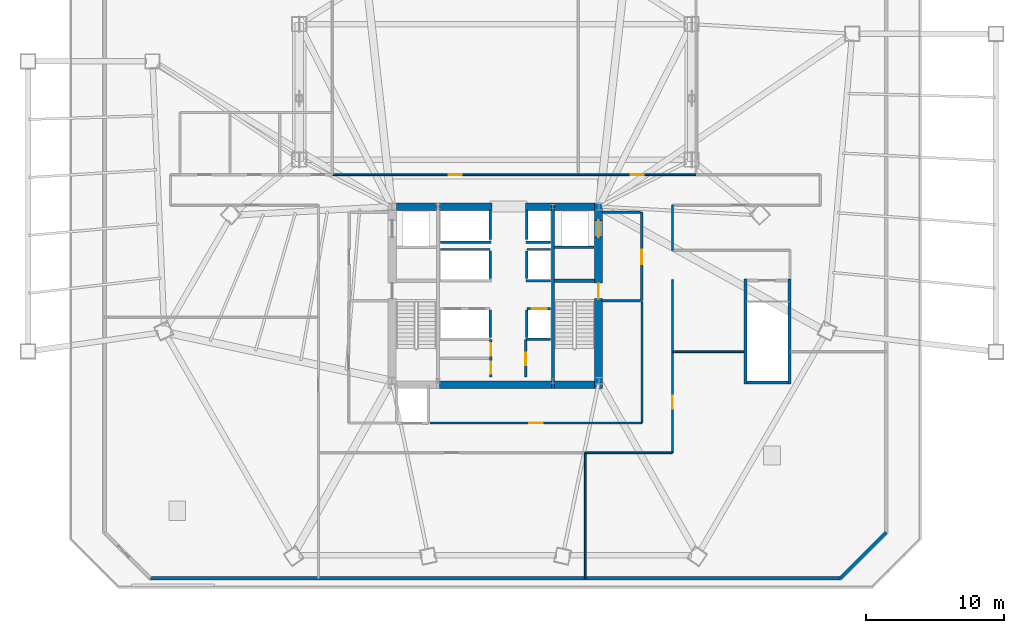
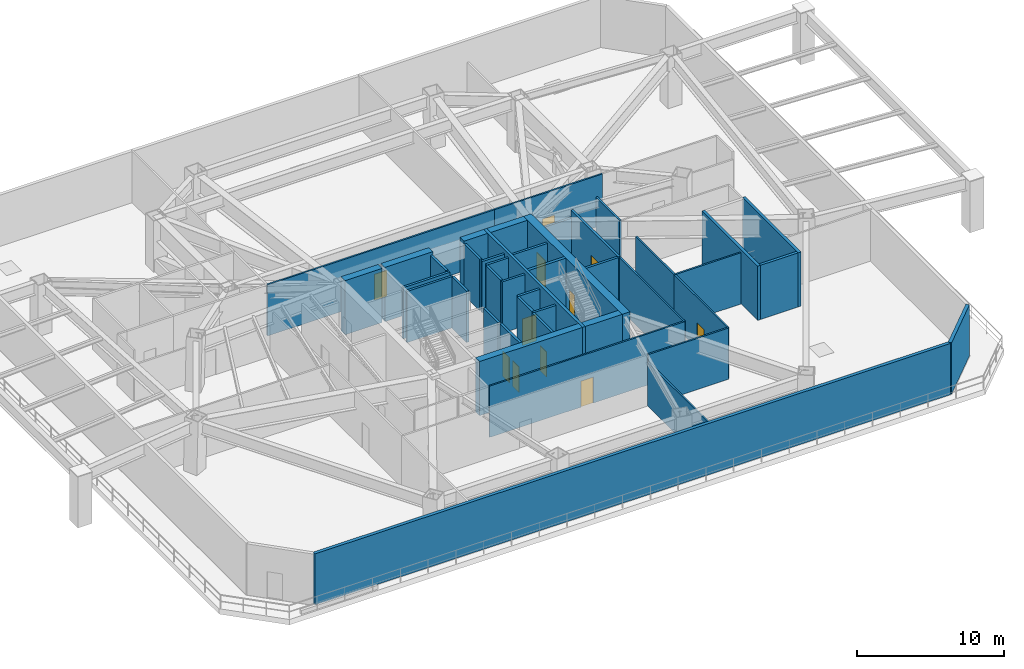
# One storey, part 7 of 13: 43 walls, 11 doors, 11 openings.
"""IFC4 building model written with IfcOpenShell, lengths in metres."""

import ifcopenshell
import ifcopenshell.guid

model = None  # the IFC model being written
_history = None  # IfcOwnerHistory: only IFC2X3 demands one
_inside = {}  # id of a spatial element -> (the spatial element, [elements in it])
_under = {}  # id of a project, library or spatial element -> (it, [spatial elements below it])
_declared = {}  # id of a project -> (the project, [libraries it declares])
_typed = {}  # id of a type object -> (the type object, [elements of that type])
_made_of = {}  # id of a material, layer set ... -> (it, [elements and type objects made of it])


def new_model(schema):
    """Start an empty IFC model of exactly this schema.

    Asked for "IFC4X3", IfcOpenShell would pick the latest addendum, in which some entities
    have other attributes; the version numbers below select the first issue.
    IFC2X3 requires an IfcOwnerHistory on every rooted entity: one is made here for all.
    """
    global model, _history
    if schema == "IFC4X3":
        model = ifcopenshell.file(schema_version=(4, 3, 0, 0))
    else:
        model = ifcopenshell.file(schema=schema)
    _inside.clear()
    _under.clear()
    _declared.clear()
    _typed.clear()
    _made_of.clear()
    _history = None
    if model.schema == "IFC2X3":
        org = make("IfcOrganization", Name="unknown")
        user = make(
            "IfcPersonAndOrganization",
            ThePerson=make("IfcPerson", FamilyName="unknown"),
            TheOrganization=org,
        )
        app = make(
            "IfcApplication",
            ApplicationDeveloper=org,
            Version="unknown",
            ApplicationFullName="unknown",
            ApplicationIdentifier="unknown",
        )
        _history = make(
            "IfcOwnerHistory",
            OwningUser=user,
            OwningApplication=app,
            ChangeAction="ADDED",
            CreationDate=0,
        )
    return model


def make(cls, **values):
    """One entity of the class cls with the attributes given. An attribute that is None is left unset."""
    return model.create_entity(
        cls, **{name: value for name, value in values.items() if value is not None}
    )


def rooted(cls, **values):
    """An entity with a GlobalId (a new one), such as an element, a storey or a relation."""
    return make(cls, GlobalId=ifcopenshell.guid.new(), OwnerHistory=_history, **values)


def si_unit(unit_type, name, prefix=None):
    """IfcSIUnit, for example si_unit("LENGTHUNIT", "METRE", prefix="MILLI")."""
    return make("IfcSIUnit", UnitType=unit_type, Prefix=prefix, Name=name)


def assignment(units):
    """IfcUnitAssignment: the units of a project."""
    return None if units is None else make("IfcUnitAssignment", Units=units)


def point(xyz):
    """IfcCartesianPoint."""
    return None if xyz is None else make("IfcCartesianPoint", Coordinates=xyz)


def direction(xyz):
    """IfcDirection."""
    return None if xyz is None else make("IfcDirection", DirectionRatios=xyz)


def frame(location, z_axis=None, x_axis=None):
    """IfcAxis2Placement3D, a coordinate frame: its origin and axes. An axis left out is left unset."""
    return make(
        "IfcAxis2Placement3D",
        Location=point(location),
        Axis=direction(z_axis),
        RefDirection=direction(x_axis),
    )


def frame_2d(location, x_axis=None):
    """IfcAxis2Placement2D, a coordinate frame in the plane: its origin and x axis."""
    return make(
        "IfcAxis2Placement2D", Location=point(location), RefDirection=direction(x_axis)
    )


def origin():
    """The frame at (0, 0, 0) with its axes left unset."""
    return frame((0.0, 0.0, 0.0))


def place(relative_to, where):
    """IfcLocalPlacement: puts the frame where relative to a parent placement (None: the world)."""
    return make(
        "IfcLocalPlacement", PlacementRelTo=relative_to, RelativePlacement=where
    )


def context(
    kind, dimensions, precision=None, world=None, true_north=None, identifier=None
):
    """IfcGeometricRepresentationContext, for example the 3D "Model" context."""
    return make(
        "IfcGeometricRepresentationContext",
        ContextIdentifier=identifier,
        ContextType=kind,
        CoordinateSpaceDimension=dimensions,
        Precision=precision,
        WorldCoordinateSystem=world,
        TrueNorth=true_north,
    )


def subcontext(parent, identifier, kind, view, scale=None):
    """IfcGeometricRepresentationSubContext, for example "Body" below "Model"."""
    return make(
        "IfcGeometricRepresentationSubContext",
        ContextIdentifier=identifier,
        ContextType=kind,
        ParentContext=parent,
        TargetScale=scale,
        TargetView=view,
    )


def project(units=None, contexts=None):
    """IfcProject with its units and contexts."""
    return rooted(
        "IfcProject",
        Name="project",
        RepresentationContexts=contexts,
        UnitsInContext=assignment(units),
    )


def spatial(cls, under=None, at=None, **own):
    """A site, building, storey or space (cls), placed at a placement, below another one or the project."""
    s = rooted(cls, ObjectPlacement=at, **own)
    if under is not None:
        _under.setdefault(under.id(), (under, []))[1].append(s)
    return s


def profile(cls, at=None, kind="AREA", **sizes):
    """A parametric profile (cls). Its sizes go by their IFC names, for example OverallWidth=200.0."""
    return make(cls, ProfileType=kind, Position=at, **sizes)


def rectangle(**sizes):
    """IfcRectangleProfileDef."""
    return profile("IfcRectangleProfileDef", **sizes)


def extrude(swept, where, along, depth):
    """IfcExtrudedAreaSolid: the profile swept, set in the frame where, extruded along a direction by depth."""
    return make(
        "IfcExtrudedAreaSolid",
        SweptArea=swept,
        Position=where,
        ExtrudedDirection=direction(along),
        Depth=depth,
    )


def shape(context_of_items, identifier, shape_type, items):
    """IfcShapeRepresentation: the items that make up one representation, for example the "Body"."""
    return make(
        "IfcShapeRepresentation",
        ContextOfItems=context_of_items,
        RepresentationIdentifier=identifier,
        RepresentationType=shape_type,
        Items=items,
    )


def material(Name=None, Category=None):
    """IfcMaterial."""
    return make("IfcMaterial", Name=Name, Category=Category)


def layer(
    of_material, thickness, ventilated=None, Name=None, Category=None, Priority=None
):
    """IfcMaterialLayer: one layer of a wall or slab, of a material (None: an air gap)."""
    return make(
        "IfcMaterialLayer",
        Material=of_material,
        LayerThickness=thickness,
        IsVentilated=ventilated,
        Name=Name,
        Category=Category,
        Priority=Priority,
    )


def layer_set(layers, Name=None):
    """IfcMaterialLayerSet."""
    return make("IfcMaterialLayerSet", MaterialLayers=layers, LayerSetName=Name)


def made_of(thing, what):
    """Note that an element or type object is made of a material, layer set ...; save() writes the relation."""
    if what is not None:
        _made_of.setdefault(what.id(), (what, []))[1].append(thing)
    return thing


def type_object(cls, material=None, **own):
    """A type object (cls), such as IfcWallType, which elements share."""
    return made_of(rooted(cls, **own), material)


def element(
    cls,
    number,
    at=None,
    inside=None,
    cuts=None,
    type_object=None,
    material=None,
    context=None,
    identifier="Body",
    shape_type=None,
    held_by="IfcProductDefinitionShape",
    body=None,
    shapes=None,
    **own,
):
    """One element of the class cls, such as IfcWall. Its Tag is "e" and its number.

    at: its placement. inside: the storey or other place that contains it. cuts: it is an
    opening in that element (IfcRelVoidsElement). A single representation is given by context,
    identifier, shape_type and body (its items); several are given by shapes. held_by: the class
    of the entity that holds the representations. save() writes the other relations.
    """
    e = rooted(cls, Tag="e%d" % number, ObjectPlacement=at, **own)
    if body is not None:
        shapes = [shape(context, identifier, shape_type, body)]
    if shapes is not None:
        e.Representation = make(held_by, Representations=shapes)
    if inside is not None:
        _inside.setdefault(inside.id(), (inside, []))[1].append(e)
    if cuts is not None:
        rooted(
            "IfcRelVoidsElement", RelatingBuildingElement=cuts, RelatedOpeningElement=e
        )
    if type_object is not None:
        _typed.setdefault(type_object.id(), (type_object, []))[1].append(e)
    return made_of(e, material)


def fill(opening, filler):
    """IfcRelFillsElement: the door or window that sits in an opening."""
    return rooted(
        "IfcRelFillsElement",
        RelatingOpeningElement=opening,
        RelatedBuildingElement=filler,
    )


def aggregate(whole, parts):
    """IfcRelAggregates: a whole, such as a stair, and the parts it consists of."""
    return rooted("IfcRelAggregates", RelatingObject=whole, RelatedObjects=parts)


def save(model, path):
    """Write the relations noted so far, then the file.

    IfcRelAggregates (storeys below a building ...), IfcRelContainedInSpatialStructure (elements
    in a storey), IfcRelDefinesByType, IfcRelAssociatesMaterial and IfcRelDeclares: one each for
    every whole, place, type object, material and project.
    """
    for whole, parts in _under.values():
        aggregate(whole, parts)
    for where, things in _inside.values():
        rooted(
            "IfcRelContainedInSpatialStructure",
            RelatedElements=things,
            RelatingStructure=where,
        )
    for kind, things in _typed.values():
        rooted("IfcRelDefinesByType", RelatedObjects=things, RelatingType=kind)
    for what, things in _made_of.values():
        rooted("IfcRelAssociatesMaterial", RelatedObjects=things, RelatingMaterial=what)
    for by, libraries in _declared.values():
        rooted("IfcRelDeclares", RelatingContext=by, RelatedDefinitions=libraries)
    model.write(path)


model = new_model("IFC4")

# Units and contexts
model_context = context("Model", 3, precision=1e-05, world=origin(), true_north=direction((0.0, 1.0)))
body_context = subcontext(model_context, "Body", "Model", "MODEL_VIEW")
ifc_project = project(units=[si_unit("LENGTHUNIT", "METRE"), si_unit("AREAUNIT", "SQUARE_METRE"), si_unit("VOLUMEUNIT", "CUBIC_METRE"), si_unit("PLANEANGLEUNIT", "RADIAN"), si_unit("MASSUNIT", "GRAM", prefix="KILO")], contexts=[model_context])

# Site, building, storey
site_placement = place(None, origin())
site = spatial("IfcSite", under=ifc_project, at=site_placement, CompositionType="ELEMENT")
building_placement = place(site_placement, origin())
building = spatial("IfcBuilding", under=site, at=building_placement, Name="Caelisora Broadcast Tower", CompositionType="ELEMENT")
storey_placement = place(building_placement, frame((0.0, 0.0, 23.10009765625)))
storey = spatial("IfcBuildingStorey", under=building, at=storey_placement, Name="L05", CompositionType="ELEMENT", Elevation=23.10009765625)

# Wall, openings, doors
ifc_material_1 = material(Name="Concrete 65 MPa (AS 3600 S65)", Category="concrete")
ifc_layer_1 = layer(ifc_material_1, 0.60009765625, Name="Concrete 65 MPa (AS 3600 S65)")
ifc_layer_set_1 = layer_set([ifc_layer_1], Name="Concrete 65 MPa (AS 3600 S65)")
wall_type_1 = type_object("IfcWallType", Name="CW1", PredefinedType="SHEAR", material=ifc_layer_set_1)
wall_1_placement = place(storey_placement, frame((45.4599609375, 16.85009765625, 0.0), z_axis=(0.0, 0.0, 1.0), x_axis=(0.0, 1.0, 0.0)))
wall_1 = element("IfcWall", 1, at=wall_1_placement, inside=storey, type_object=wall_type_1, Name="L05 core shear wall CW1", PredefinedType="SHEAR", context=body_context, shape_type="SweptSolid", body=[
    extrude(rectangle(XDim=13.4248046875, YDim=0.60009765625, at=frame_2d((6.71240234375, 0.0))), origin(), (0.0, 0.0, 1.0), 4.5),
])
opening_1_placement = place(wall_1_placement, frame((6.5, 0.0, 0.0)))
opening_1 = element("IfcOpeningElement", 2, at=opening_1_placement, cuts=wall_1, Name="Opening FD04", PredefinedType="OPENING", context=body_context, shape_type="SweptSolid", body=[
    extrude(rectangle(XDim=1.1201171875, YDim=2.14990234375, at=frame_2d((0.56005859375, 1.074951171875))), frame((0.0, 0.31201171875, 0.0), z_axis=(0.0, -1.0, 0.0), x_axis=(1.0, 0.0, 0.0)), (0.0, 0.0, 1.0), 0.6240234375),
])
opening_2_placement = place(wall_1_placement, frame((10.949951171875, 0.0, 0.0)))
opening_2 = element("IfcOpeningElement", 3, at=opening_2_placement, cuts=wall_1, Name="Opening LD04", PredefinedType="OPENING", context=body_context, shape_type="SweptSolid", body=[
    extrude(rectangle(XDim=1.199951171875, YDim=2.199951171875, at=frame_2d((0.60009765625, 1.10009765625))), frame((0.0, 0.31201171875, 0.0), z_axis=(0.0, -1.0, 0.0), x_axis=(1.0, 0.0, 0.0)), (0.0, 0.0, 1.0), 0.6240234375),
])
ifc_material_2 = material(Name="Pressurised Fire-Isolated Stair Door", Category="steel")
door_type_1 = type_object("IfcDoorType", Name="FD04", OperationType="NOTDEFINED", PredefinedType="DOOR", material=ifc_material_2)
door_1_placement = place(opening_1_placement, origin())
door_1 = element("IfcDoor", 4, at=door_1_placement, inside=storey, type_object=door_type_1, Name="L05 door FD04 (L05-DR-ST2)", OperationType="SINGLE_SWING_RIGHT", OverallHeight=2.14990234375, OverallWidth=1.1201171875, PredefinedType="DOOR", context=body_context, shape_type="SweptSolid", body=[
    extrude(rectangle(XDim=1.1201171875, YDim=2.14990234375, at=frame_2d((0.56005859375, 1.074951171875))), frame((0.0, 0.02490234375, 0.0), z_axis=(0.0, -1.0, 0.0), x_axis=(1.0, 0.0, 0.0)), (0.0, 0.0, 1.0), 0.050048828125),
])
fill(opening_1, door_1)
ifc_material_3 = material(Name="Emergency Firefighting Lift Sliding Landing Door", Category="steel")
door_type_2 = type_object("IfcDoorType", Name="LD04", OperationType="NOTDEFINED", PredefinedType="DOOR", material=ifc_material_3)
door_2_placement = place(opening_2_placement, origin())
door_2 = element("IfcDoor", 5, at=door_2_placement, inside=storey, type_object=door_type_2, Name="L05 door LD04 (L05-LD-FFL2)", OperationType="SLIDING_TO_RIGHT", OverallHeight=2.199951171875, OverallWidth=1.199951171875, PredefinedType="DOOR", context=body_context, shape_type="SweptSolid", body=[
    extrude(rectangle(XDim=1.199951171875, YDim=2.199951171875, at=frame_2d((0.60009765625, 1.10009765625))), frame((0.0, 0.02490234375, 0.0), z_axis=(0.0, -1.0, 0.0), x_axis=(1.0, 0.0, 0.0)), (0.0, 0.0, 1.0), 0.050048828125),
])
fill(opening_2, door_2)

# Walls
ifc_layer_2 = layer(ifc_material_1, 0.550048828125, Name="Concrete 65 MPa (AS 3600 S65)")
ifc_layer_set_2 = layer_set([ifc_layer_2], Name="Concrete 65 MPa (AS 3600 S65)")
wall_type_2 = type_object("IfcWallType", Name="CW4", PredefinedType="SHEAR", material=ifc_layer_set_2)
wall_2_placement = place(storey_placement, frame((33.9599609375, 17.125, 0.0), z_axis=(0.0, 0.0, 1.0), x_axis=(1.0, 0.0, 0.0)))
element("IfcWall", 6, at=wall_2_placement, inside=storey, type_object=wall_type_2, Name="L05 core shear wall CW4", PredefinedType="SHEAR", context=body_context, shape_type="SweptSolid", body=[
    extrude(rectangle(XDim=8.080078125, YDim=0.550048828125, at=frame_2d((4.0400390625, 0.0))), origin(), (0.0, 0.0, 1.0), 4.5),
])
for number, where, z_axis, x_axis, name in (
    (7, (42.260009765625, 17.125, 0.0), (0.0, 0.0, 1.0), (1.0, 0.0, 0.0), "L05 core shear wall CW4"),
    (8, (30.840087890625, 30.0, 0.0), (0.0, 0.0, 1.0), (1.0, 0.0, 0.0), "L05 core shear wall CW4"),
):
    element("IfcWall", number, at=place(storey_placement, frame(where, z_axis=z_axis, x_axis=x_axis)), inside=storey, type_object=wall_type_2, Name=name, PredefinedType="SHEAR", context=body_context, shape_type="SweptSolid", body=[
        extrude(rectangle(XDim=2.89990234375, YDim=0.550048828125, at=frame_2d((1.449951171875, 0.0))), origin(), (0.0, 0.0, 1.0), 4.5),
    ])
wall_3_placement = place(storey_placement, frame((33.9599609375, 30.0, 0.0), z_axis=(0.0, 0.0, 1.0), x_axis=(1.0, 0.0, 0.0)))
element("IfcWall", 9, at=wall_3_placement, inside=storey, type_object=wall_type_2, Name="L05 core shear wall CW4", PredefinedType="SHEAR", context=body_context, shape_type="SweptSolid", body=[
    extrude(rectangle(XDim=3.780029296875, YDim=0.550048828125, at=frame_2d((1.89013671875, 0.0))), origin(), (0.0, 0.0, 1.0), 4.5),
])
wall_4_placement = place(storey_placement, frame((40.159912109375, 30.0, 0.0), z_axis=(0.0, 0.0, 1.0), x_axis=(1.0, 0.0, 0.0)))
element("IfcWall", 10, at=wall_4_placement, inside=storey, type_object=wall_type_2, Name="L05 core shear wall CW4", PredefinedType="SHEAR", context=body_context, shape_type="SweptSolid", body=[
    extrude(rectangle(XDim=1.880126953125, YDim=0.550048828125, at=frame_2d((0.93994140625, 0.0))), origin(), (0.0, 0.0, 1.0), 4.5),
])
wall_5_placement = place(storey_placement, frame((42.260009765625, 30.0, 0.0), z_axis=(0.0, 0.0, 1.0), x_axis=(1.0, 0.0, 0.0)))
element("IfcWall", 11, at=wall_5_placement, inside=storey, type_object=wall_type_2, Name="L05 core shear wall CW4", PredefinedType="SHEAR", context=body_context, shape_type="SweptSolid", body=[
    extrude(rectangle(XDim=2.89990234375, YDim=0.550048828125, at=frame_2d((1.449951171875, 0.0))), origin(), (0.0, 0.0, 1.0), 4.5),
])
ifc_material_4 = material(Name="Concrete 50 MPa (AS 3600 S50)", Category="concrete")
ifc_layer_3 = layer(ifc_material_4, 0.219970703125, Name="Concrete 50 MPa (AS 3600 S50)")
ifc_layer_set_3 = layer_set([ifc_layer_3], Name="Concrete 50 MPa (AS 3600 S50)")
wall_type_3 = type_object("IfcWallType", Name="CW7", PredefinedType="SHEAR", material=ifc_layer_set_3)
wall_6_placement = place(storey_placement, frame((42.14990234375, 16.85009765625, 0.0), z_axis=(0.0, 0.0, 1.0), x_axis=(0.0, 1.0, 0.0)))
element("IfcWall", 12, at=wall_6_placement, inside=storey, type_object=wall_type_3, Name="L05 core shear wall CW7", PredefinedType="SHEAR", context=body_context, shape_type="SweptSolid", body=[
    extrude(rectangle(XDim=13.4248046875, YDim=0.219970703125, at=frame_2d((6.71240234375, 0.0))), origin(), (0.0, 0.0, 1.0), 4.5),
])
wall_7_placement = place(storey_placement, frame((42.260009765625, 24.639892578125, 0.0), z_axis=(0.0, 0.0, 1.0), x_axis=(1.0, 0.0, 0.0)))
element("IfcWall", 13, at=wall_7_placement, inside=storey, type_object=wall_type_3, Name="L05 core shear wall CW7", PredefinedType="SHEAR", context=body_context, shape_type="SweptSolid", body=[
    extrude(rectangle(XDim=2.89990234375, YDim=0.219970703125, at=frame_2d((1.449951171875, 0.0))), origin(), (0.0, 0.0, 1.0), 4.5),
])
for number, where, z_axis, x_axis, name in (
    (14, (56.090087890625, 17.179931640625, 0.0), (0.0, 0.0, 1.0), (0.0, 1.0, 0.0), "L05 core shear wall CW7"),
    (15, (59.27001953125, 17.179931640625, 0.0), (0.0, 0.0, 1.0), (0.0, 1.0, 0.0), "L05 core shear wall CW7"),
):
    element("IfcWall", number, at=place(storey_placement, frame(where, z_axis=z_axis, x_axis=x_axis)), inside=storey, type_object=wall_type_3, Name=name, PredefinedType="SHEAR", context=body_context, shape_type="SweptSolid", body=[
        extrude(rectangle(XDim=7.580078125, YDim=0.219970703125, at=frame_2d((3.7900390625, 0.0))), origin(), (0.0, 0.0, 1.0), 4.5),
    ])
wall_8_placement = place(storey_placement, frame((56.199951171875, 17.2900390625, 0.0), z_axis=(0.0, 0.0, 1.0), x_axis=(1.0, 0.0, 0.0)))
element("IfcWall", 16, at=wall_8_placement, inside=storey, type_object=wall_type_3, Name="L05 core shear wall CW7", PredefinedType="SHEAR", context=body_context, shape_type="SweptSolid", body=[
    extrude(rectangle(XDim=2.9599609375, YDim=0.219970703125, at=frame_2d((1.47998046875, 0.0))), origin(), (0.0, 0.0, 1.0), 4.5),
])
ifc_material_5 = material(Name="Fire-Rated Acoustic Plant Enclosure Wall", Category="masonry")
ifc_layer_4 = layer(ifc_material_5, 0.260009765625, Name="Fire-Rated Acoustic Plant Enclosure Wall")
ifc_layer_set_4 = layer_set([ifc_layer_4], Name="Fire-Rated Acoustic Plant Enclosure Wall")
wall_type_4 = type_object("IfcWallType", Name="EW2", PredefinedType="STANDARD", material=ifc_layer_set_4)
wall_9_placement = place(storey_placement, frame((66.260009765625, 6.44091796875, 0.0), z_axis=(0.0, 0.0, 1.0), x_axis=(-0.707106781187, -0.707106781187, 0.0)))
element("IfcWall", 17, at=wall_9_placement, inside=storey, type_object=wall_type_4, Name="L05 exterior envelope wall EW2", PredefinedType="STANDARD", context=body_context, shape_type="SweptSolid", body=[
    extrude(rectangle(XDim=4.66845703125, YDim=0.260009765625, at=frame_2d((2.334228515625, 0.0))), origin(), (0.0, 0.0, 1.0), 4.25),
])
wall_10_placement = place(storey_placement, frame((62.93896484375, 3.139892578125, 0.0), z_axis=(0.0, 0.0, 1.0), x_axis=(-1.0, 0.0, 0.0)))
element("IfcWall", 18, at=wall_10_placement, inside=storey, type_object=wall_type_4, Name="L05 exterior envelope wall EW2", PredefinedType="STANDARD", context=body_context, shape_type="SweptSolid", body=[
    extrude(rectangle(XDim=49.8779296875, YDim=0.260009765625, at=frame_2d((24.93896484375, 0.0))), origin(), (0.0, 0.0, 1.0), 4.25),
])

# Wall, opening, door
ifc_material_6 = material(Name="Fire-Rated Gypsum Shaft and Compartment Wall", Category="gypsum")
ifc_layer_5 = layer(ifc_material_6, 0.179931640625, Name="Fire-Rated Gypsum Shaft and Compartment Wall")
ifc_layer_set_5 = layer_set([ifc_layer_5], Name="Fire-Rated Gypsum Shaft and Compartment Wall")
wall_type_5 = type_object("IfcWallType", Name="PW2", PredefinedType="PARTITIONING", material=ifc_layer_set_5)
wall_11_placement = place(storey_placement, frame((40.280029296875, 22.6201171875, 0.0), z_axis=(0.0, 0.0, 1.0), x_axis=(1.0, 0.0, 0.0)))
wall_11 = element("IfcWall", 19, at=wall_11_placement, inside=storey, type_object=wall_type_5, Name="L05 fire compartment wall PW2", PredefinedType="PARTITIONING", context=body_context, shape_type="SweptSolid", body=[
    extrude(rectangle(XDim=1.699951171875, YDim=0.179931640625, at=frame_2d((0.85009765625, 0.0))), origin(), (0.0, 0.0, 1.0), 4.25),
])
opening_3_placement = place(wall_11_placement, frame((0.35009765625, 0.0, 0.0)))
opening_3 = element("IfcOpeningElement", 20, at=opening_3_placement, cuts=wall_11, Name="Opening LD01", PredefinedType="OPENING", context=body_context, shape_type="SweptSolid", body=[
    extrude(rectangle(XDim=1.10009765625, YDim=2.199951171875, at=frame_2d((0.550048828125, 1.10009765625))), frame((0.0, 0.10205078125, 0.0), z_axis=(0.0, -1.0, 0.0), x_axis=(1.0, 0.0, 0.0)), (0.0, 0.0, 1.0), 0.203857421875),
])
ifc_material_7 = material(Name="Stainless Steel Centre-Parting Lift Landing Door", Category="steel")
door_type_3 = type_object("IfcDoorType", Name="LD01", OperationType="NOTDEFINED", PredefinedType="DOOR", material=ifc_material_7)
door_3_placement = place(opening_3_placement, origin())
door_3 = element("IfcDoor", 21, at=door_3_placement, inside=storey, type_object=door_type_3, Name="L05 door LD01 (L05-LD-PLL3)", OperationType="SLIDING_TO_LEFT", OverallHeight=2.199951171875, OverallWidth=1.10009765625, PredefinedType="DOOR", context=body_context, shape_type="SweptSolid", body=[
    extrude(rectangle(XDim=1.10009765625, YDim=2.199951171875, at=frame_2d((0.550048828125, 1.10009765625))), frame((0.0, 0.02490234375, 0.0), z_axis=(0.0, -1.0, 0.0), x_axis=(1.0, 0.0, 0.0)), (0.0, 0.0, 1.0), 0.050048828125),
])
fill(opening_3, door_3)

# Walls
for number, where, z_axis, x_axis, name in (
    (22, (37.6201171875, 20.52001953125, 0.0), (0.0, 0.0, 1.0), (0.0, 1.0, 0.0), "L05 fire compartment wall PW2"),
    (23, (40.280029296875, 20.52001953125, 0.0), (0.0, 0.0, 1.0), (0.0, 1.0, 0.0), "L05 fire compartment wall PW2"),
):
    element("IfcWall", number, at=place(storey_placement, frame(where, z_axis=z_axis, x_axis=x_axis)), inside=storey, type_object=wall_type_5, Name=name, PredefinedType="PARTITIONING", context=body_context, shape_type="SweptSolid", body=[
        extrude(rectangle(XDim=2.0, YDim=0.179931640625, at=frame_2d((1.0, 0.0))), origin(), (0.0, 0.0, 1.0), 4.25),
    ])
wall_12_placement = place(storey_placement, frame((34.02001953125, 26.89990234375, 0.0), z_axis=(0.0, 0.0, 1.0), x_axis=(1.0, 0.0, 0.0)))
element("IfcWall", 24, at=wall_12_placement, inside=storey, type_object=wall_type_5, Name="L05 fire compartment wall PW2", PredefinedType="PARTITIONING", context=body_context, shape_type="SweptSolid", body=[
    extrude(rectangle(XDim=3.60009765625, YDim=0.179931640625, at=frame_2d((1.800048828125, 0.0))), origin(), (0.0, 0.0, 1.0), 4.25),
])
wall_13_placement = place(storey_placement, frame((40.280029296875, 26.89990234375, 0.0), z_axis=(0.0, 0.0, 1.0), x_axis=(1.0, 0.0, 0.0)))
element("IfcWall", 25, at=wall_13_placement, inside=storey, type_object=wall_type_5, Name="L05 fire compartment wall PW2", PredefinedType="PARTITIONING", context=body_context, shape_type="SweptSolid", body=[
    extrude(rectangle(XDim=1.699951171875, YDim=0.179931640625, at=frame_2d((0.85009765625, 0.0))), origin(), (0.0, 0.0, 1.0), 4.25),
])
for number, where, z_axis, x_axis, name in (
    (26, (37.6201171875, 24.800048828125, 0.0), (0.0, 0.0, 1.0), (0.0, 1.0, 0.0), "L05 fire compartment wall PW2"),
    (27, (40.280029296875, 24.800048828125, 0.0), (0.0, 0.0, 1.0), (0.0, 1.0, 0.0), "L05 fire compartment wall PW2"),
):
    element("IfcWall", number, at=place(storey_placement, frame(where, z_axis=z_axis, x_axis=x_axis)), inside=storey, type_object=wall_type_5, Name=name, PredefinedType="PARTITIONING", context=body_context, shape_type="SweptSolid", body=[
        extrude(rectangle(XDim=2.0, YDim=0.179931640625, at=frame_2d((1.0, 0.0))), origin(), (0.0, 0.0, 1.0), 4.25),
    ])
wall_14_placement = place(storey_placement, frame((40.199951171875, 24.639892578125, 0.0), z_axis=(0.0, 0.0, 1.0), x_axis=(1.0, 0.0, 0.0)))
element("IfcWall", 28, at=wall_14_placement, inside=storey, type_object=wall_type_5, Name="L05 fire compartment wall PW2", PredefinedType="PARTITIONING", context=body_context, shape_type="SweptSolid", body=[
    extrude(rectangle(XDim=1.780029296875, YDim=0.179931640625, at=frame_2d((0.89013671875, 0.0))), origin(), (0.0, 0.0, 1.0), 4.25),
])
wall_15_placement = place(storey_placement, frame((34.02001953125, 27.419921875, 0.0), z_axis=(0.0, 0.0, 1.0), x_axis=(1.0, 0.0, 0.0)))
element("IfcWall", 29, at=wall_15_placement, inside=storey, type_object=wall_type_5, Name="L05 fire compartment wall PW2", PredefinedType="PARTITIONING", context=body_context, shape_type="SweptSolid", body=[
    extrude(rectangle(XDim=3.659912109375, YDim=0.179931640625, at=frame_2d((1.830078125, 0.0))), origin(), (0.0, 0.0, 1.0), 4.25),
])
wall_16_placement = place(storey_placement, frame((40.219970703125, 27.419921875, 0.0), z_axis=(0.0, 0.0, 1.0), x_axis=(1.0, 0.0, 0.0)))
element("IfcWall", 30, at=wall_16_placement, inside=storey, type_object=wall_type_5, Name="L05 fire compartment wall PW2", PredefinedType="PARTITIONING", context=body_context, shape_type="SweptSolid", body=[
    extrude(rectangle(XDim=1.760009765625, YDim=0.179931640625, at=frame_2d((0.8798828125, 0.0))), origin(), (0.0, 0.0, 1.0), 4.25),
])
for number, where, z_axis, x_axis, name in (
    (31, (37.6201171875, 27.639892578125, 0.0), (0.0, 0.0, 1.0), (0.0, 1.0, 0.0), "L05 fire compartment wall PW2"),
    (32, (40.280029296875, 27.639892578125, 0.0), (0.0, 0.0, 1.0), (0.0, 1.0, 0.0), "L05 fire compartment wall PW2"),
):
    element("IfcWall", number, at=place(storey_placement, frame(where, z_axis=z_axis, x_axis=x_axis)), inside=storey, type_object=wall_type_5, Name=name, PredefinedType="PARTITIONING", context=body_context, shape_type="SweptSolid", body=[
        extrude(rectangle(XDim=2.110107421875, YDim=0.179931640625, at=frame_2d((1.05517578125, 0.0))), origin(), (0.0, 0.0, 1.0), 4.25),
    ])

# Wall, opening, door
wall_17_placement = place(storey_placement, frame((48.580078125, 23.199951171875, 0.0), z_axis=(0.0, 0.0, 1.0), x_axis=(0.0, 1.0, 0.0)))
wall_17 = element("IfcWall", 33, at=wall_17_placement, inside=storey, type_object=wall_type_5, Name="L05 fire compartment wall PW2", PredefinedType="PARTITIONING", context=body_context, shape_type="SweptSolid", body=[
    extrude(rectangle(XDim=6.400146484375, YDim=0.179931640625, at=frame_2d((3.2001953125, 0.0))), origin(), (0.0, 0.0, 1.0), 4.25),
])
opening_4_placement = place(wall_17_placement, frame((2.64990234375, 0.0, 0.0)))
opening_4 = element("IfcOpeningElement", 34, at=opening_4_placement, cuts=wall_17, Name="Opening FD02", PredefinedType="OPENING", context=body_context, shape_type="SweptSolid", body=[
    extrude(rectangle(XDim=1.050048828125, YDim=2.14990234375, at=frame_2d((0.52490234375, 1.074951171875))), frame((0.0, 0.10205078125, 0.0), z_axis=(0.0, -1.0, 0.0), x_axis=(1.0, 0.0, 0.0)), (0.0, 0.0, 1.0), 0.203857421875),
])
ifc_material_8 = material(Name="Single-Leaf Steel Fire Lobby Door", Category="steel")
door_type_4 = type_object("IfcDoorType", Name="FD02", OperationType="NOTDEFINED", PredefinedType="DOOR", material=ifc_material_8)
door_4_placement = place(opening_4_placement, origin())
door_4 = element("IfcDoor", 35, at=door_4_placement, inside=storey, type_object=door_type_4, Name="L05 door FD02 (L05-DR-P04D1)", OperationType="SINGLE_SWING_LEFT", OverallHeight=2.14990234375, OverallWidth=1.050048828125, PredefinedType="DOOR", context=body_context, shape_type="SweptSolid", body=[
    extrude(rectangle(XDim=1.050048828125, YDim=2.14990234375, at=frame_2d((0.52490234375, 1.074951171875))), frame((0.0, 0.02490234375, 0.0), z_axis=(0.0, -1.0, 0.0), x_axis=(1.0, 0.0, 0.0)), (0.0, 0.0, 1.0), 0.050048828125),
])
fill(opening_4, door_4)

# Walls
wall_18_placement = place(storey_placement, frame((45.719970703125, 23.199951171875, 0.0), z_axis=(0.0, 0.0, 1.0), x_axis=(1.0, 0.0, 0.0)))
element("IfcWall", 36, at=wall_18_placement, inside=storey, type_object=wall_type_5, Name="L05 fire compartment wall PW2", PredefinedType="PARTITIONING", context=body_context, shape_type="SweptSolid", body=[
    extrude(rectangle(XDim=2.760009765625, YDim=0.179931640625, at=frame_2d((1.3798828125, 0.0))), origin(), (0.0, 0.0, 1.0), 4.25),
])
wall_19_placement = place(storey_placement, frame((45.719970703125, 29.60009765625, 0.0), z_axis=(0.0, 0.0, 1.0), x_axis=(1.0, 0.0, 0.0)))
element("IfcWall", 37, at=wall_19_placement, inside=storey, type_object=wall_type_5, Name="L05 fire compartment wall PW2", PredefinedType="PARTITIONING", context=body_context, shape_type="SweptSolid", body=[
    extrude(rectangle(XDim=2.760009765625, YDim=0.179931640625, at=frame_2d((1.3798828125, 0.0))), origin(), (0.0, 0.0, 1.0), 3.623291015625),
])
wall_20_placement = place(storey_placement, frame((42.239990234375, 27.070068359375, 0.0), z_axis=(0.0, 0.0, 1.0), x_axis=(1.0, 0.0, 0.0)))
element("IfcWall", 38, at=wall_20_placement, inside=storey, type_object=wall_type_5, Name="L05 fire compartment wall PW2", PredefinedType="PARTITIONING", context=body_context, shape_type="SweptSolid", body=[
    extrude(rectangle(XDim=2.89990234375, YDim=0.179931640625, at=frame_2d((1.449951171875, 0.0))), origin(), (0.0, 0.0, 1.0), 4.25),
])
wall_21_placement = place(storey_placement, frame((40.219970703125, 20.419921875, 0.0), z_axis=(0.0, 0.0, 1.0), x_axis=(1.0, 0.0, 0.0)))
element("IfcWall", 39, at=wall_21_placement, inside=storey, type_object=wall_type_5, Name="L05 fire compartment wall PW2", PredefinedType="PARTITIONING", context=body_context, shape_type="SweptSolid", body=[
    extrude(rectangle(XDim=1.760009765625, YDim=0.179931640625, at=frame_2d((0.8798828125, 0.0))), origin(), (0.0, 0.0, 1.0), 4.25),
])

# Wall, openings, doors
wall_22_placement = place(storey_placement, frame((37.679931640625, 17.679931640625, 0.0), z_axis=(0.0, 0.0, 1.0), x_axis=(0.0, 1.0, 0.0)))
wall_22 = element("IfcWall", 40, at=wall_22_placement, inside=storey, type_object=wall_type_5, Name="L05 fire compartment wall PW2", PredefinedType="PARTITIONING", context=body_context, shape_type="SweptSolid", body=[
    extrude(rectangle(XDim=2.699951171875, YDim=0.179931640625, at=frame_2d((1.35009765625, 0.0))), origin(), (0.0, 0.0, 1.0), 4.25),
])
opening_5_placement = place(wall_22_placement, frame((0.219970703125, 0.0, 0.0)))
opening_5 = element("IfcOpeningElement", 41, at=opening_5_placement, cuts=wall_22, Name="Opening FD03", PredefinedType="OPENING", context=body_context, shape_type="SweptSolid", body=[
    extrude(rectangle(XDim=0.89990234375, YDim=2.10009765625, at=frame_2d((0.449951171875, 1.050048828125))), frame((0.0, 0.10205078125, 0.0), z_axis=(0.0, -1.0, 0.0), x_axis=(1.0, 0.0, 0.0)), (0.0, 0.0, 1.0), 0.203857421875),
])
opening_6_placement = place(wall_22_placement, frame((1.5400390625, 0.0, 0.0)))
opening_6 = element("IfcOpeningElement", 42, at=opening_6_placement, cuts=wall_22, Name="Opening FD03", PredefinedType="OPENING", context=body_context, shape_type="SweptSolid", body=[
    extrude(rectangle(XDim=0.89990234375, YDim=2.10009765625, at=frame_2d((0.449951171875, 1.050048828125))), frame((0.0, 0.10205078125, 0.0), z_axis=(0.0, -1.0, 0.0), x_axis=(1.0, 0.0, 0.0)), (0.0, 0.0, 1.0), 0.203857421875),
])
ifc_material_9 = material(Name="Single-Leaf Steel Riser Fire Access Door", Category="steel")
door_type_5 = type_object("IfcDoorType", Name="FD03", OperationType="NOTDEFINED", PredefinedType="DOOR", material=ifc_material_9)
door_5_placement = place(opening_5_placement, origin())
door_5 = element("IfcDoor", 43, at=door_5_placement, inside=storey, type_object=door_type_5, Name="L05 door FD03 (L05-DR-P12D1)", OperationType="SINGLE_SWING_RIGHT", OverallHeight=2.10009765625, OverallWidth=0.89990234375, PredefinedType="DOOR", context=body_context, shape_type="SweptSolid", body=[
    extrude(rectangle(XDim=0.89990234375, YDim=2.10009765625, at=frame_2d((0.449951171875, 1.050048828125))), frame((0.0, 0.02490234375, 0.0), z_axis=(0.0, -1.0, 0.0), x_axis=(1.0, 0.0, 0.0)), (0.0, 0.0, 1.0), 0.050048828125),
])
fill(opening_5, door_5)
door_6_placement = place(opening_6_placement, origin())
door_6 = element("IfcDoor", 44, at=door_6_placement, inside=storey, type_object=door_type_5, Name="L05 door FD03 (L05-DR-P12D2)", OperationType="SINGLE_SWING_LEFT", OverallHeight=2.10009765625, OverallWidth=0.89990234375, PredefinedType="DOOR", context=body_context, shape_type="SweptSolid", body=[
    extrude(rectangle(XDim=0.89990234375, YDim=2.10009765625, at=frame_2d((0.449951171875, 1.050048828125))), frame((0.0, 0.02490234375, 0.0), z_axis=(0.0, -1.0, 0.0), x_axis=(1.0, 0.0, 0.0)), (0.0, 0.0, 1.0), 0.050048828125),
])
fill(opening_6, door_6)

# Wall, opening, door
wall_23_placement = place(storey_placement, frame((40.199951171875, 17.679931640625, 0.0), z_axis=(0.0, 0.0, 1.0), x_axis=(0.0, 1.0, 0.0)))
wall_23 = element("IfcWall", 45, at=wall_23_placement, inside=storey, type_object=wall_type_5, Name="L05 fire compartment wall PW2", PredefinedType="PARTITIONING", context=body_context, shape_type="SweptSolid", body=[
    extrude(rectangle(XDim=2.699951171875, YDim=0.179931640625, at=frame_2d((1.35009765625, 0.0))), origin(), (0.0, 0.0, 1.0), 4.25),
])
opening_7_placement = place(wall_23_placement, frame((0.85009765625, 0.0, 0.0)))
opening_7 = element("IfcOpeningElement", 46, at=opening_7_placement, cuts=wall_23, Name="Opening FD03", PredefinedType="OPENING", context=body_context, shape_type="SweptSolid", body=[
    extrude(rectangle(XDim=0.89990234375, YDim=2.10009765625, at=frame_2d((0.449951171875, 1.050048828125))), frame((0.0, 0.10205078125, 0.0), z_axis=(0.0, -1.0, 0.0), x_axis=(1.0, 0.0, 0.0)), (0.0, 0.0, 1.0), 0.203857421875),
])
door_7_placement = place(opening_7_placement, origin())
door_7 = element("IfcDoor", 47, at=door_7_placement, inside=storey, type_object=door_type_5, Name="L05 door FD03 (L05-DR-P13D1)", OperationType="SINGLE_SWING_RIGHT", OverallHeight=2.10009765625, OverallWidth=0.89990234375, PredefinedType="DOOR", context=body_context, shape_type="SweptSolid", body=[
    extrude(rectangle(XDim=0.89990234375, YDim=2.10009765625, at=frame_2d((0.449951171875, 1.050048828125))), frame((0.0, 0.02490234375, 0.0), z_axis=(0.0, -1.0, 0.0), x_axis=(1.0, 0.0, 0.0)), (0.0, 0.0, 1.0), 0.050048828125),
])
fill(opening_7, door_7)

ifc_material_10 = material(Name="Acoustic Steel-Stud Plasterboard Partition", Category="gypsum")
ifc_layer_6 = layer(ifc_material_10, 0.1298828125, Name="Acoustic Steel-Stud Plasterboard Partition")
ifc_layer_set_6 = layer_set([ifc_layer_6], Name="Acoustic Steel-Stud Plasterboard Partition")
wall_type_6 = type_object("IfcWallType", Name="PW3", PredefinedType="PARTITIONING", material=ifc_layer_set_6)
wall_24_placement = place(storey_placement, frame((26.205078125, 32.300048828125, 0.0), z_axis=(0.0, 0.0, 1.0), x_axis=(1.0, 0.0, 0.0)))
wall_24 = element("IfcWall", 48, at=wall_24_placement, inside=storey, type_object=wall_type_6, Name="L05 internal partition PW3", PredefinedType="PARTITIONING", context=body_context, shape_type="SweptSolid", body=[
    extrude(rectangle(XDim=17.7900390625, YDim=0.1298828125, at=frame_2d((8.89501953125, 0.0))), origin(), (0.0, 0.0, 1.0), 4.25),
])
opening_8_placement = place(wall_24_placement, frame((8.4150390625, 0.0, 0.0)))
opening_8 = element("IfcOpeningElement", 49, at=opening_8_placement, cuts=wall_24, Name="Opening D01", PredefinedType="OPENING", context=body_context, shape_type="SweptSolid", body=[
    extrude(rectangle(XDim=0.9599609375, YDim=2.14990234375, at=frame_2d((0.47998046875, 1.074951171875))), frame((0.0, 0.076904296875, 0.0), z_axis=(0.0, -1.0, 0.0), x_axis=(1.0, 0.0, 0.0)), (0.0, 0.0, 1.0), 0.15380859375),
])
ifc_material_11 = material(Name="Solid-Core Timber Acoustic Office Door", Category="wood")
door_type_6 = type_object("IfcDoorType", Name="D01", OperationType="NOTDEFINED", PredefinedType="DOOR", material=ifc_material_11)
door_8_placement = place(opening_8_placement, origin())
door_8 = element("IfcDoor", 50, at=door_8_placement, inside=storey, type_object=door_type_6, Name="L05 door D01 (L05-DR-P27D1)", OperationType="SINGLE_SWING_LEFT", OverallHeight=2.14990234375, OverallWidth=0.9599609375, PredefinedType="DOOR", context=body_context, shape_type="SweptSolid", body=[
    extrude(rectangle(XDim=0.9599609375, YDim=2.14990234375, at=frame_2d((0.47998046875, 1.074951171875))), frame((0.0, 0.02490234375, 0.0), z_axis=(0.0, -1.0, 0.0), x_axis=(1.0, 0.0, 0.0)), (0.0, 0.0, 1.0), 0.050048828125),
])
fill(opening_8, door_8)

wall_25_placement = place(storey_placement, frame((33.27490234375, 14.35009765625, 0.0), z_axis=(0.0, 0.0, 1.0), x_axis=(1.0, 0.0, 0.0)))
wall_25 = element("IfcWall", 51, at=wall_25_placement, inside=storey, type_object=wall_type_6, Name="L05 internal partition PW3", PredefinedType="PARTITIONING", context=body_context, shape_type="SweptSolid", body=[
    extrude(rectangle(XDim=15.320068359375, YDim=0.1298828125, at=frame_2d((7.66015625, 0.0))), origin(), (0.0, 0.0, 1.0), 4.25),
])
opening_9_placement = place(wall_25_placement, frame((7.179931640625, 0.0, 0.0)))
opening_9 = element("IfcOpeningElement", 52, at=opening_9_placement, cuts=wall_25, Name="Opening D01", PredefinedType="OPENING", context=body_context, shape_type="SweptSolid", body=[
    extrude(rectangle(XDim=0.9599609375, YDim=2.14990234375, at=frame_2d((0.47998046875, 1.074951171875))), frame((0.0, 0.076904296875, 0.0), z_axis=(0.0, -1.0, 0.0), x_axis=(1.0, 0.0, 0.0)), (0.0, 0.0, 1.0), 0.15380859375),
])
door_9_placement = place(opening_9_placement, origin())
door_9 = element("IfcDoor", 53, at=door_9_placement, inside=storey, type_object=door_type_6, Name="L05 door D01 (L05-DR-P29D1)", OperationType="SINGLE_SWING_RIGHT", OverallHeight=2.14990234375, OverallWidth=0.9599609375, PredefinedType="DOOR", context=body_context, shape_type="SweptSolid", body=[
    extrude(rectangle(XDim=0.9599609375, YDim=2.14990234375, at=frame_2d((0.47998046875, 1.074951171875))), frame((0.0, 0.02490234375, 0.0), z_axis=(0.0, -1.0, 0.0), x_axis=(1.0, 0.0, 0.0)), (0.0, 0.0, 1.0), 0.050048828125),
])
fill(opening_9, door_9)

# Walls
wall_26_placement = place(storey_placement, frame((44.5, 3.1298828125, 0.0), z_axis=(0.0, 0.0, 1.0), x_axis=(0.0, 1.0, 0.0)))
element("IfcWall", 54, at=wall_26_placement, inside=storey, type_object=wall_type_6, Name="L05 internal partition PW3", PredefinedType="PARTITIONING", context=body_context, shape_type="SweptSolid", body=[
    extrude(rectangle(XDim=9.065185546875, YDim=0.1298828125, at=frame_2d((4.53271484375, 0.0))), origin(), (0.0, 0.0, 1.0), 3.623291015625),
])
wall_27_placement = place(storey_placement, frame((48.60009765625, 14.35498046875, 0.0), z_axis=(0.0, 0.0, 1.0), x_axis=(0.0, 1.0, 0.0)))
element("IfcWall", 55, at=wall_27_placement, inside=storey, type_object=wall_type_6, Name="L05 internal partition PW3", PredefinedType="PARTITIONING", context=body_context, shape_type="SweptSolid", body=[
    extrude(rectangle(XDim=8.75, YDim=0.1298828125, at=frame_2d((4.375, 0.0))), origin(), (0.0, 0.0, 1.0), 4.25),
])

# Wall, opening, door
wall_28_placement = place(storey_placement, frame((44.0048828125, 32.300048828125, 0.0), z_axis=(0.0, 0.0, 1.0), x_axis=(1.0, 0.0, 0.0)))
wall_28 = element("IfcWall", 56, at=wall_28_placement, inside=storey, type_object=wall_type_6, Name="L05 internal partition PW3", PredefinedType="PARTITIONING", context=body_context, shape_type="SweptSolid", body=[
    extrude(rectangle(XDim=8.490234375, YDim=0.1298828125, at=frame_2d((4.2451171875, 0.0))), origin(), (0.0, 0.0, 1.0), 4.25),
])
opening_10_placement = place(wall_28_placement, frame((3.764892578125, 0.0, 0.0)))
opening_10 = element("IfcOpeningElement", 57, at=opening_10_placement, cuts=wall_28, Name="Opening D01", PredefinedType="OPENING", context=body_context, shape_type="SweptSolid", body=[
    extrude(rectangle(XDim=0.9599609375, YDim=2.14990234375, at=frame_2d((0.47998046875, 1.074951171875))), frame((0.0, 0.076904296875, 0.0), z_axis=(0.0, -1.0, 0.0), x_axis=(1.0, 0.0, 0.0)), (0.0, 0.0, 1.0), 0.15380859375),
])
door_10_placement = place(opening_10_placement, origin())
door_10 = element("IfcDoor", 58, at=door_10_placement, inside=storey, type_object=door_type_6, Name="L05 door D01 (L05-DR-P40D1)", OperationType="SINGLE_SWING_LEFT", OverallHeight=2.14990234375, OverallWidth=0.9599609375, PredefinedType="DOOR", context=body_context, shape_type="SweptSolid", body=[
    extrude(rectangle(XDim=0.9599609375, YDim=2.14990234375, at=frame_2d((0.47998046875, 1.074951171875))), frame((0.0, 0.02490234375, 0.0), z_axis=(0.0, -1.0, 0.0), x_axis=(1.0, 0.0, 0.0)), (0.0, 0.0, 1.0), 0.050048828125),
])
fill(opening_10, door_10)

wall_29_placement = place(storey_placement, frame((50.800048828125, 12.205078125, 0.0), z_axis=(0.0, 0.0, 1.0), x_axis=(0.0, 1.0, 0.0)))
wall_29 = element("IfcWall", 59, at=wall_29_placement, inside=storey, type_object=wall_type_6, Name="L05 internal partition PW3", PredefinedType="PARTITIONING", context=body_context, shape_type="SweptSolid", body=[
    extrude(rectangle(XDim=7.2900390625, YDim=0.1298828125, at=frame_2d((3.64501953125, 0.0))), origin(), (0.0, 0.0, 1.0), 4.25),
])
opening_11_placement = place(wall_29_placement, frame((3.1650390625, 0.0, 0.0)))
opening_11 = element("IfcOpeningElement", 60, at=opening_11_placement, cuts=wall_29, Name="Opening D01", PredefinedType="OPENING", context=body_context, shape_type="SweptSolid", body=[
    extrude(rectangle(XDim=0.9599609375, YDim=2.14990234375, at=frame_2d((0.47998046875, 1.074951171875))), frame((0.0, 0.076904296875, 0.0), z_axis=(0.0, -1.0, 0.0), x_axis=(1.0, 0.0, 0.0)), (0.0, 0.0, 1.0), 0.15380859375),
])
door_11_placement = place(opening_11_placement, origin())
door_11 = element("IfcDoor", 61, at=door_11_placement, inside=storey, type_object=door_type_6, Name="L05 door D01 (L05-DR-P45D1)", OperationType="SINGLE_SWING_RIGHT", OverallHeight=2.14990234375, OverallWidth=0.9599609375, PredefinedType="DOOR", context=body_context, shape_type="SweptSolid", body=[
    extrude(rectangle(XDim=0.9599609375, YDim=2.14990234375, at=frame_2d((0.47998046875, 1.074951171875))), frame((0.0, 0.02490234375, 0.0), z_axis=(0.0, -1.0, 0.0), x_axis=(1.0, 0.0, 0.0)), (0.0, 0.0, 1.0), 0.050048828125),
])
fill(opening_11, door_11)

# Walls
wall_30_placement = place(storey_placement, frame((44.5048828125, 12.199951171875, 0.0), z_axis=(0.0, 0.0, 1.0), x_axis=(1.0, 0.0, 0.0)))
element("IfcWall", 62, at=wall_30_placement, inside=storey, type_object=wall_type_6, Name="L05 internal partition PW3", PredefinedType="PARTITIONING", context=body_context, shape_type="SweptSolid", body=[
    extrude(rectangle(XDim=6.2900390625, YDim=0.1298828125, at=frame_2d((3.14501953125, 0.0))), origin(), (0.0, 0.0, 1.0), 4.25),
])
wall_31_placement = place(storey_placement, frame((50.804931640625, 19.5, 0.0), z_axis=(0.0, 0.0, 1.0), x_axis=(1.0, 0.0, 0.0)))
element("IfcWall", 63, at=wall_31_placement, inside=storey, type_object=wall_type_6, Name="L05 internal partition PW3", PredefinedType="PARTITIONING", context=body_context, shape_type="SweptSolid", body=[
    extrude(rectangle(XDim=5.170166015625, YDim=0.1298828125, at=frame_2d((2.5849609375, 0.0))), origin(), (0.0, 0.0, 1.0), 4.25),
])
wall_32_placement = place(storey_placement, frame((50.800048828125, 24.695068359375, 0.0), z_axis=(0.0, 0.0, 1.0), x_axis=(0.0, -1.0, 0.0)))
element("IfcWall", 64, at=wall_32_placement, inside=storey, type_object=wall_type_6, Name="L05 internal partition PW3", PredefinedType="PARTITIONING", context=body_context, shape_type="SweptSolid", body=[
    extrude(rectangle(XDim=5.190185546875, YDim=0.1298828125, at=frame_2d((2.59521484375, 0.0))), origin(), (0.0, 0.0, 1.0), 4.25),
])
wall_33_placement = place(storey_placement, frame((50.800048828125, 30.094970703125, 0.0), z_axis=(0.0, 0.0, 1.0), x_axis=(0.0, -1.0, 0.0)))
element("IfcWall", 65, at=wall_33_placement, inside=storey, type_object=wall_type_6, Name="L05 internal partition PW3", PredefinedType="PARTITIONING", context=body_context, shape_type="SweptSolid", body=[
    extrude(rectangle(XDim=3.239990234375, YDim=0.1298828125, at=frame_2d((1.6201171875, 0.0))), origin(), (0.0, 0.0, 1.0), 4.25),
])

save(model, "model.ifc")
